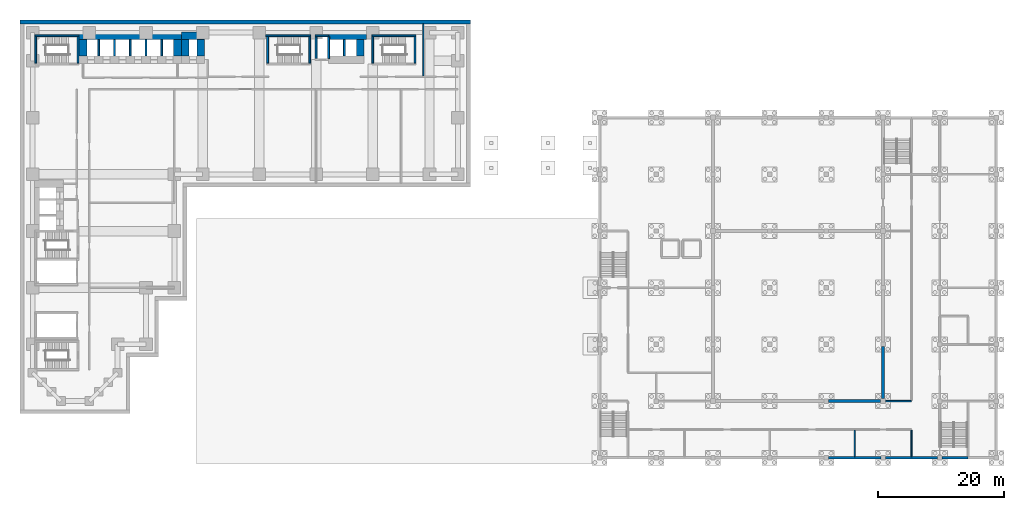
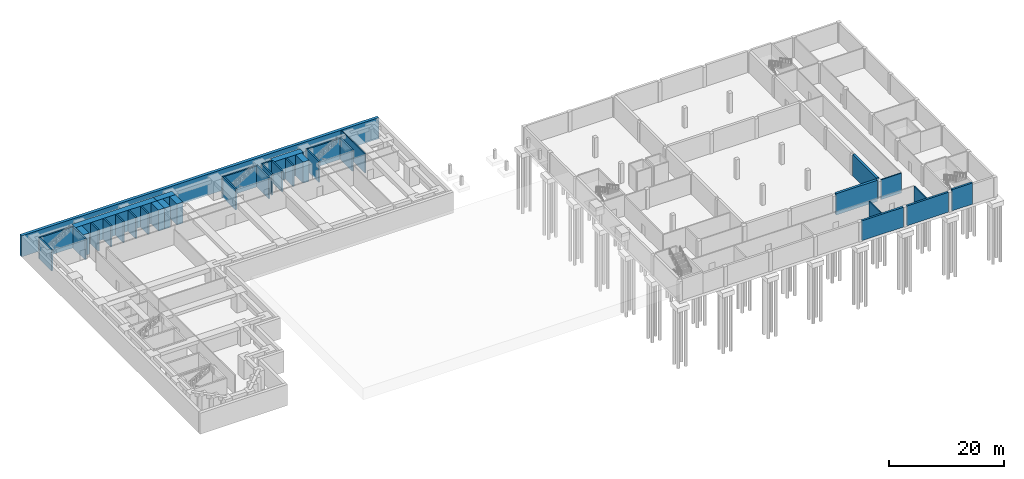
# One storey, part 8 of 12: 36 walls.
"""IFC4 building model written with IfcOpenShell, lengths in metres."""

from ifc_helpers import new_model, si_unit, direction, frame, frame_2d, origin, place, context, subcontext, project, spatial, rectangle, extrude, material, layer, layer_set, type_object, element, save


model = new_model("IFC4")

# Units and contexts
model_context = context("Model", 3, precision=1e-05, world=origin(), true_north=direction((0.0, 1.0)))
body_context = subcontext(model_context, "Body", "Model", "MODEL_VIEW")
ifc_project = project(units=[si_unit("LENGTHUNIT", "METRE"), si_unit("AREAUNIT", "SQUARE_METRE"), si_unit("VOLUMEUNIT", "CUBIC_METRE"), si_unit("PLANEANGLEUNIT", "RADIAN"), si_unit("MASSUNIT", "GRAM", prefix="KILO")], contexts=[model_context])

# Site, building, storey
site_placement = place(None, origin())
site = spatial("IfcSite", under=ifc_project, at=site_placement, CompositionType="ELEMENT")
building_placement = place(site_placement, origin())
building = spatial("IfcBuilding", under=site, at=building_placement, Name="Firuza Court", CompositionType="ELEMENT")
storey_placement = place(building_placement, frame((0.0, 0.0, -4.5)))
storey = spatial("IfcBuildingStorey", under=building, at=storey_placement, Name="B1", CompositionType="ELEMENT", Elevation=-4.5)

# Walls
ifc_material_1 = material(Name="Concrete C35/45", Category="concrete")
ifc_layer_1 = layer(ifc_material_1, 1.199951171875)
ifc_layer_set_1 = layer_set([ifc_layer_1], Name="Concrete C35/45")
wall_type_1 = type_object("IfcWallType", Name="Basement core wall 1200", PredefinedType="SHEAR", material=ifc_layer_set_1)
wall_1_placement = place(storey_placement, frame((7.35009765625, 58.0, -0.39990234375), z_axis=(0.0, 0.0, 1.0), x_axis=(1.0, 0.0, 0.0)))
element("IfcWall", 1, at=wall_1_placement, inside=storey, type_object=wall_type_1, Name="Core wall B1 021", PredefinedType="SHEAR", context=body_context, shape_type="SweptSolid", body=[
    extrude(rectangle(XDim=16.25, YDim=1.199951171875, at=frame_2d((8.125, 0.0))), origin(), (0.0, 0.0, 1.0), 4.449951171875),
])
wall_2_placement = place(storey_placement, frame((23.60009765625, 58.0, -0.39990234375), z_axis=(0.0, 0.0, 1.0), x_axis=(1.0, 0.0, 0.0)))
element("IfcWall", 2, at=wall_2_placement, inside=storey, type_object=wall_type_1, Name="Core wall B1 022", PredefinedType="SHEAR", context=body_context, shape_type="SweptSolid", body=[
    extrude(rectangle(XDim=3.699951171875, YDim=1.199951171875, at=frame_2d((1.85009765625, 0.0))), origin(), (0.0, 0.0, 1.0), 4.449951171875),
])
wall_3_placement = place(storey_placement, frame((47.0, 58.0, -0.39990234375), z_axis=(0.0, 0.0, 1.0), x_axis=(1.0, 0.0, 0.0)))
element("IfcWall", 3, at=wall_3_placement, inside=storey, type_object=wall_type_1, Name="Core wall B1 025", PredefinedType="SHEAR", context=body_context, shape_type="SweptSolid", body=[
    extrude(rectangle(XDim=6.0, YDim=1.199951171875, at=frame_2d((3.0, 0.0))), origin(), (0.0, 0.0, 1.0), 4.449951171875),
])
for number, where, z_axis, x_axis, name in (
    (4, (8.0, 54.800048828125, -0.39990234375), (0.0, 0.0, 1.0), (0.0, 1.0, 0.0), "Core wall B1 039"),
    (5, (23.0, 54.800048828125, -0.39990234375), (0.0, 0.0, 1.0), (0.0, 1.0, 0.0), "Core wall B1 045"),
    (6, (24.199951171875, 54.800048828125, -0.39990234375), (0.0, 0.0, 1.0), (0.0, 1.0, 0.0), "Core wall B1 046"),
    (7, (26.699951171875, 54.800048828125, -0.39990234375), (0.0, 0.0, 1.0), (0.0, 1.0, 0.0), "Core wall B1 047"),
    (8, (52.0, 54.800048828125, -0.39990234375), (0.0, 0.0, 1.0), (0.0, 1.0, 0.0), "Core wall B1 053"),
):
    element("IfcWall", number, at=place(storey_placement, frame(where, z_axis=z_axis, x_axis=x_axis)), inside=storey, type_object=wall_type_1, Name=name, PredefinedType="SHEAR", context=body_context, shape_type="SweptSolid", body=[
        extrude(rectangle(XDim=2.599853515625, YDim=1.199951171875, at=frame_2d((1.2998046875, 0.0))), origin(), (0.0, 0.0, 1.0), 4.449951171875),
    ])
ifc_layer_2 = layer(ifc_material_1, 0.300048828125)
ifc_layer_set_2 = layer_set([ifc_layer_2], Name="Concrete C35/45")
wall_type_2 = type_object("IfcWallType", Name="Basement core wall 300", PredefinedType="SHEAR", material=ifc_layer_set_2)
wall_4_placement = place(storey_placement, frame((0.35009765625, 58.0, -0.39990234375), z_axis=(0.0, 0.0, 1.0), x_axis=(1.0, 0.0, 0.0)))
element("IfcWall", 9, at=wall_4_placement, inside=storey, type_object=wall_type_2, Name="Core wall B1 020", PredefinedType="SHEAR", context=body_context, shape_type="SweptSolid", body=[
    extrude(rectangle(XDim=7.0, YDim=0.300048828125, at=frame_2d((3.5, 0.0))), origin(), (0.0, 0.0, 1.0), 4.449951171875),
])
wall_5_placement = place(storey_placement, frame((37.0, 58.0, -0.39990234375), z_axis=(0.0, 0.0, 1.0), x_axis=(1.0, 0.0, 0.0)))
element("IfcWall", 10, at=wall_5_placement, inside=storey, type_object=wall_type_2, Name="Core wall B1 023", PredefinedType="SHEAR", context=body_context, shape_type="SweptSolid", body=[
    extrude(rectangle(XDim=7.14990234375, YDim=0.300048828125, at=frame_2d((3.574951171875, 0.0))), origin(), (0.0, 0.0, 1.0), 4.449951171875),
])
wall_6_placement = place(storey_placement, frame((44.85009765625, 58.0, -0.39990234375), z_axis=(0.0, 0.0, 1.0), x_axis=(1.0, 0.0, 0.0)))
element("IfcWall", 11, at=wall_6_placement, inside=storey, type_object=wall_type_2, Name="Core wall B1 024", PredefinedType="SHEAR", context=body_context, shape_type="SweptSolid", body=[
    extrude(rectangle(XDim=2.14990234375, YDim=0.300048828125, at=frame_2d((1.074951171875, 0.0))), origin(), (0.0, 0.0, 1.0), 4.449951171875),
])
wall_7_placement = place(storey_placement, frame((53.85009765625, 58.0, -0.39990234375), z_axis=(0.0, 0.0, 1.0), x_axis=(1.0, 0.0, 0.0)))
element("IfcWall", 12, at=wall_7_placement, inside=storey, type_object=wall_type_2, Name="Core wall B1 026", PredefinedType="SHEAR", context=body_context, shape_type="SweptSolid", body=[
    extrude(rectangle(XDim=7.0, YDim=0.300048828125, at=frame_2d((3.5, 0.0))), origin(), (0.0, 0.0, 1.0), 4.449951171875),
])
for number, where, z_axis, x_axis, name in (
    (13, (0.5, 53.64990234375, -0.39990234375), (0.0, 0.0, 1.0), (0.0, 1.0, 0.0), "Core wall B1 032"),
    (14, (7.199951171875, 53.64990234375, -0.39990234375), (0.0, 0.0, 1.0), (0.0, 1.0, 0.0), "Core wall B1 038"),
):
    element("IfcWall", number, at=place(storey_placement, frame(where, z_axis=z_axis, x_axis=x_axis)), inside=storey, type_object=wall_type_2, Name=name, PredefinedType="SHEAR", context=body_context, shape_type="SweptSolid", body=[
        extrude(rectangle(XDim=4.2001953125, YDim=0.300048828125, at=frame_2d((2.10009765625, 0.0))), origin(), (0.0, 0.0, 1.0), 4.449951171875),
    ])
for number, where, z_axis, x_axis, name in (
    (15, (10.5, 54.800048828125, -0.39990234375), (0.0, 0.0, 1.0), (0.0, 1.0, 0.0), "Core wall B1 040"),
    (16, (13.0, 54.800048828125, -0.39990234375), (0.0, 0.0, 1.0), (0.0, 1.0, 0.0), "Core wall B1 041"),
    (17, (15.5, 54.800048828125, -0.39990234375), (0.0, 0.0, 1.0), (0.0, 1.0, 0.0), "Core wall B1 042"),
    (18, (18.0, 54.800048828125, -0.39990234375), (0.0, 0.0, 1.0), (0.0, 1.0, 0.0), "Core wall B1 043"),
    (19, (20.5, 54.800048828125, -0.39990234375), (0.0, 0.0, 1.0), (0.0, 1.0, 0.0), "Core wall B1 044"),
):
    element("IfcWall", number, at=place(storey_placement, frame(where, z_axis=z_axis, x_axis=x_axis)), inside=storey, type_object=wall_type_2, Name=name, PredefinedType="SHEAR", context=body_context, shape_type="SweptSolid", body=[
        extrude(rectangle(XDim=2.599853515625, YDim=0.300048828125, at=frame_2d((1.2998046875, 0.0))), origin(), (0.0, 0.0, 1.0), 4.449951171875),
    ])
for number, where, z_axis, x_axis, name in (
    (20, (37.300048828125, 53.64990234375, -0.39990234375), (0.0, 0.0, 1.0), (0.0, 1.0, 0.0), "Core wall B1 048"),
    (21, (44.0, 53.64990234375, -0.39990234375), (0.0, 0.0, 1.0), (0.0, 1.0, 0.0), "Core wall B1 049"),
):
    element("IfcWall", number, at=place(storey_placement, frame(where, z_axis=z_axis, x_axis=x_axis)), inside=storey, type_object=wall_type_2, Name=name, PredefinedType="SHEAR", context=body_context, shape_type="SweptSolid", body=[
        extrude(rectangle(XDim=4.2001953125, YDim=0.300048828125, at=frame_2d((2.10009765625, 0.0))), origin(), (0.0, 0.0, 1.0), 4.449951171875),
    ])
for number, where, z_axis, x_axis, name in (
    (22, (45.0, 54.35009765625, -0.39990234375), (0.0, 0.0, 1.0), (0.0, 1.0, 0.0), "Core wall B1 050"),
    (23, (47.0, 54.35009765625, -0.39990234375), (0.0, 0.0, 1.0), (0.0, 1.0, 0.0), "Core wall B1 051"),
):
    element("IfcWall", number, at=place(storey_placement, frame(where, z_axis=z_axis, x_axis=x_axis)), inside=storey, type_object=wall_type_2, Name=name, PredefinedType="SHEAR", context=body_context, shape_type="SweptSolid", body=[
        extrude(rectangle(XDim=3.5, YDim=0.300048828125, at=frame_2d((1.75, 0.0))), origin(), (0.0, 0.0, 1.0), 4.449951171875),
    ])
wall_8_placement = place(storey_placement, frame((49.5, 54.800048828125, -0.39990234375), z_axis=(0.0, 0.0, 1.0), x_axis=(0.0, 1.0, 0.0)))
element("IfcWall", 24, at=wall_8_placement, inside=storey, type_object=wall_type_2, Name="Core wall B1 052", PredefinedType="SHEAR", context=body_context, shape_type="SweptSolid", body=[
    extrude(rectangle(XDim=2.599853515625, YDim=0.300048828125, at=frame_2d((1.2998046875, 0.0))), origin(), (0.0, 0.0, 1.0), 4.449951171875),
])
for number, where, z_axis, x_axis, name in (
    (25, (54.0, 53.64990234375, -0.39990234375), (0.0, 0.0, 1.0), (0.0, 1.0, 0.0), "Core wall B1 054"),
    (26, (60.699951171875, 53.64990234375, -0.39990234375), (0.0, 0.0, 1.0), (0.0, 1.0, 0.0), "Core wall B1 055"),
):
    element("IfcWall", number, at=place(storey_placement, frame(where, z_axis=z_axis, x_axis=x_axis)), inside=storey, type_object=wall_type_2, Name=name, PredefinedType="SHEAR", context=body_context, shape_type="SweptSolid", body=[
        extrude(rectangle(XDim=4.2001953125, YDim=0.300048828125, at=frame_2d((2.10009765625, 0.0))), origin(), (0.0, 0.0, 1.0), 4.449951171875),
    ])
ifc_material_2 = material(Name="Blockwork", Category="masonry")
ifc_layer_3 = layer(ifc_material_2, 0.199951171875)
ifc_layer_set_3 = layer_set([ifc_layer_3], Name="Blockwork")
wall_type_3 = type_object("IfcWallType", Name="HALL PARTITION 200", PredefinedType="STANDARD", material=ifc_layer_set_3)
wall_9_placement = place(storey_placement, frame((135.39990234375, 0.0, 0.0), z_axis=(0.0, 0.0, 1.0), x_axis=(1.0, 0.0, 0.0)))
element("IfcWall", 27, at=wall_9_placement, inside=storey, type_object=wall_type_3, Name="Wall B1.16", PredefinedType="STANDARD", context=body_context, shape_type="SweptSolid", body=[
    extrude(rectangle(XDim=4.10009765625, YDim=0.199951171875, at=frame_2d((2.050048828125, 0.0))), origin(), (0.0, 0.0, 1.0), 4.199951171875),
])
for number, where, z_axis, x_axis, name in (
    (28, (130.5, -8.800048828125, 0.0), (0.0, 0.0, 1.0), (0.0, 1.0, 0.0), "Wall B1.68"),
    (29, (139.5, -8.800048828125, 0.0), (0.0, 0.0, 1.0), (0.0, 1.0, 0.0), "Wall B1.74"),
):
    element("IfcWall", number, at=place(storey_placement, frame(where, z_axis=z_axis, x_axis=x_axis)), inside=storey, type_object=wall_type_3, Name=name, PredefinedType="STANDARD", context=body_context, shape_type="SweptSolid", body=[
        extrude(rectangle(XDim=4.199951171875, YDim=0.199951171875, at=frame_2d((2.10009765625, 0.0))), origin(), (0.0, 0.0, 1.0), 4.199951171875),
    ])
ifc_material_3 = material(Name="Concrete C40/50", Category="concrete")
ifc_layer_4 = layer(ifc_material_3, 0.39990234375)
ifc_layer_set_4 = layer_set([ifc_layer_4], Name="Concrete C40/50")
wall_type_4 = type_object("IfcWallType", Name="HALL RC WALL 400", PredefinedType="STANDARD", material=ifc_layer_set_4)
for number, where, z_axis, x_axis, name in (
    (30, (126.35009765625, -9.0, 0.0), (0.0, 0.0, 1.0), (1.0, 0.0, 0.0), "Wall B1.6"),
    (31, (135.35009765625, -9.0, 0.0), (0.0, 0.0, 1.0), (1.0, 0.0, 0.0), "Wall B1.7"),
):
    element("IfcWall", number, at=place(storey_placement, frame(where, z_axis=z_axis, x_axis=x_axis)), inside=storey, type_object=wall_type_4, Name=name, PredefinedType="STANDARD", context=body_context, shape_type="SweptSolid", body=[
        extrude(rectangle(XDim=8.2998046875, YDim=0.39990234375, at=frame_2d((4.14990234375, 0.0))), origin(), (0.0, 0.0, 1.0), 4.199951171875),
    ])
wall_10_placement = place(storey_placement, frame((144.35009765625, -9.0, 0.0), z_axis=(0.0, 0.0, 1.0), x_axis=(1.0, 0.0, 0.0)))
element("IfcWall", 32, at=wall_10_placement, inside=storey, type_object=wall_type_4, Name="Wall B1.8", PredefinedType="STANDARD", context=body_context, shape_type="SweptSolid", body=[
    extrude(rectangle(XDim=4.14990234375, YDim=0.39990234375, at=frame_2d((2.074951171875, 0.0))), origin(), (0.0, 0.0, 1.0), 4.5),
])
ifc_layer_5 = layer(ifc_material_3, 0.5)
ifc_layer_set_5 = layer_set([ifc_layer_5], Name="Concrete C40/50")
wall_type_5 = type_object("IfcWallType", Name="HALL RC WALL 500", PredefinedType="STANDARD", material=ifc_layer_set_5)
for number, where, z_axis, x_axis, name in (
    (33, (126.35009765625, 0.0, 0.0), (0.0, 0.0, 1.0), (1.0, 0.0, 0.0), "Wall B1.15"),
    (34, (135.0, 0.39990234375, 0.0), (0.0, 0.0, 1.0), (0.0, 1.0, 0.0), "Wall B1.69"),
):
    element("IfcWall", number, at=place(storey_placement, frame(where, z_axis=z_axis, x_axis=x_axis)), inside=storey, type_object=wall_type_5, Name=name, PredefinedType="STANDARD", context=body_context, shape_type="SweptSolid", body=[
        extrude(rectangle(XDim=8.25, YDim=0.5, at=frame_2d((4.125, 0.0))), origin(), (0.0, 0.0, 1.0), 4.5),
    ])
ifc_material_4 = material(Name="Blockwork, fire-rated", Category="masonry")
ifc_layer_6 = layer(ifc_material_4, 0.199951171875)
ifc_layer_set_6 = layer_set([ifc_layer_6], Name="Blockwork, fire-rated")
wall_type_6 = type_object("IfcWallType", Name="Plant room wall 200", PredefinedType="PARTITIONING", material=ifc_layer_set_6)
wall_11_placement = place(storey_placement, frame((62.0, 59.89990234375, 0.0), z_axis=(0.0, 0.0, 1.0), x_axis=(0.0, -1.0, 0.0)))
element("IfcWall", 35, at=wall_11_placement, inside=storey, type_object=wall_type_6, Name="Plant room wall 200 B1", PredefinedType="PARTITIONING", context=body_context, shape_type="SweptSolid", body=[
    extrude(rectangle(XDim=8.2998046875, YDim=0.199951171875, at=frame_2d((4.14990234375, 0.0))), origin(), (0.0, 0.0, 1.0), 4.050048828125),
])
ifc_layer_7 = layer(ifc_material_1, 0.60009765625)
ifc_layer_set_7 = layer_set([ifc_layer_7], Name="Concrete C35/45")
wall_type_7 = type_object("IfcWallType", Name="Retaining wall 600", PredefinedType="SOLIDWALL", material=ifc_layer_set_7)
wall_12_placement = place(storey_placement, frame((-2.0, 60.199951171875, -0.39990234375), z_axis=(0.0, 0.0, 1.0), x_axis=(1.0, 0.0, 0.0)))
element("IfcWall", 36, at=wall_12_placement, inside=storey, type_object=wall_type_7, Name="Basement retaining wall B1 02", PredefinedType="SOLIDWALL", context=body_context, shape_type="SweptSolid", body=[
    extrude(rectangle(XDim=71.5, YDim=0.60009765625, at=frame_2d((35.75, 0.0))), origin(), (0.0, 0.0, 1.0), 4.449951171875),
])

save(model, "model.ifc")
